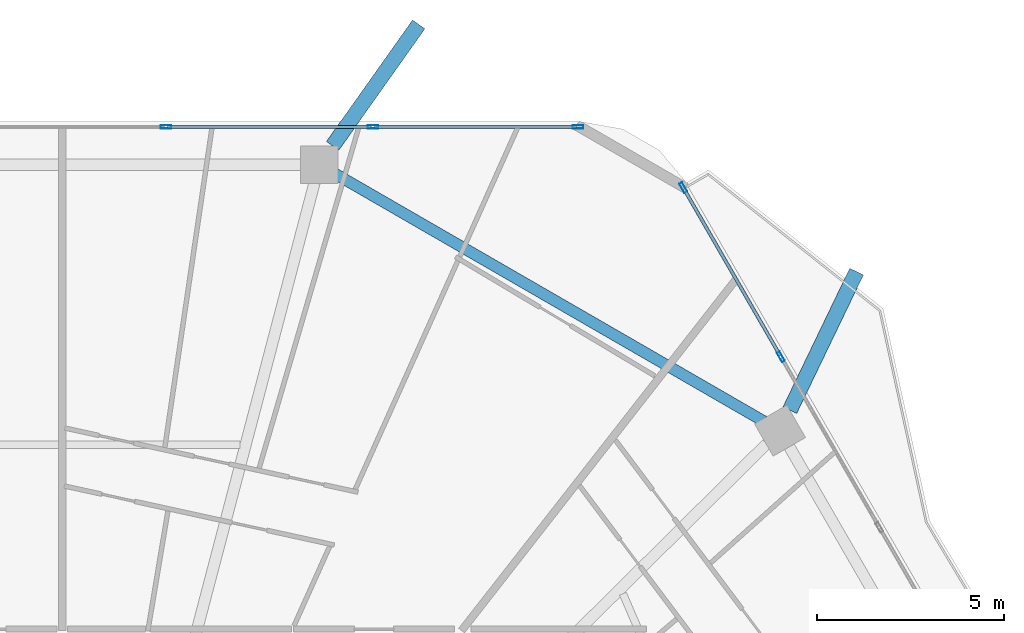
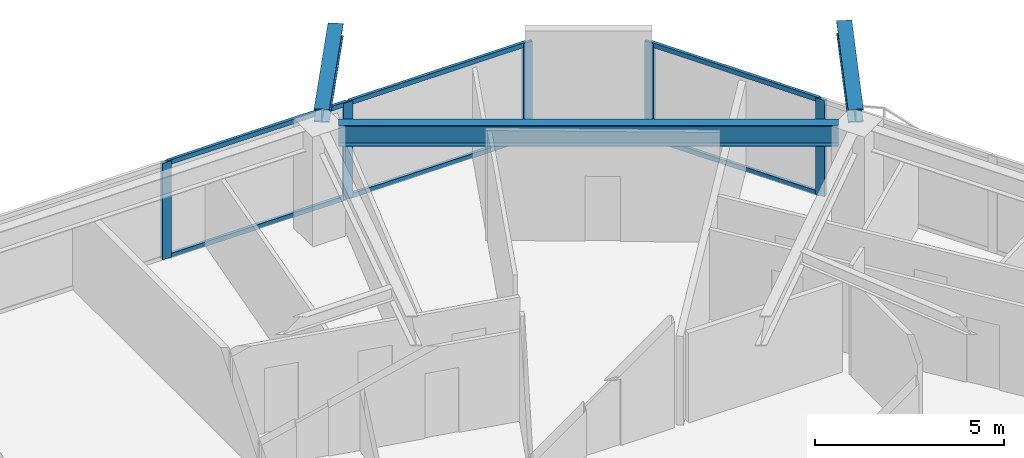
# One storey, part 16 of 26: 11 members, 3 beams, 2 elements without a shape of their own.
"""IFC4 building model written with IfcOpenShell, lengths in metres."""

from ifc_helpers import new_model, si_unit, direction, frame, origin, origin_2d, place, context, subcontext, project, spatial, hollow_rectangle, i_section, extrude, material, material_profile, profile_set, type_object, element, aggregate, save


model = new_model("IFC4")

# Units and contexts
model_context = context("Model", 3, precision=1e-05, world=origin(), true_north=direction((0.0, 1.0)))
body_context = subcontext(model_context, "Body", "Model", "MODEL_VIEW")
ifc_project = project(units=[si_unit("LENGTHUNIT", "METRE"), si_unit("AREAUNIT", "SQUARE_METRE"), si_unit("VOLUMEUNIT", "CUBIC_METRE"), si_unit("PLANEANGLEUNIT", "RADIAN"), si_unit("MASSUNIT", "GRAM", prefix="KILO")], contexts=[model_context])

# Site, building, storey
site_placement = place(None, origin())
site = spatial("IfcSite", under=ifc_project, at=site_placement, CompositionType="ELEMENT")
building_placement = place(site_placement, origin())
building = spatial("IfcBuilding", under=site, at=building_placement, Name="Zuhravey Tower", CompositionType="ELEMENT")
storey_placement = place(building_placement, frame((0.0, 0.0, 158.0)))
storey = spatial("IfcBuildingStorey", under=building, at=storey_placement, Name="L39", CompositionType="ELEMENT", Elevation=158.0)

# Curtain wall, members
ifc_material_1 = material(Name="Thermally broken anodised aluminium", Category="aluminium")
curtain_wall_type = type_object("IfcCurtainWallType", Name="Zone 1-2 Residential Curtain Wall CW3", PredefinedType="NOTDEFINED", material=ifc_material_1)
curtain_wall_1_placement = place(storey_placement, origin())
curtain_wall_1 = element("IfcCurtainWall", 1, at=curtain_wall_1_placement, inside=storey, type_object=curtain_wall_type, Name="L39 CW3 CW-L39-F2-1", PredefinedType="NOTDEFINED")
ifc_material_2 = material(Name="Anodised aluminium", Category="aluminium")
ifc_material_profile_1 = material_profile(ifc_material_2, hollow_rectangle(XDim=0.090087890625, YDim=0.284912109375, WallThickness=0.0048828125, at=origin_2d()), Name="ALU-RHS-90x285x5")
ifc_profile_set_1 = profile_set([ifc_material_profile_1], Name="Anodised aluminium")
member_type_1 = type_object("IfcMemberType", Name="Curtain-Wall Mullion 90x180", PredefinedType="MULLION", material=ifc_profile_set_1)
member_1_placement = place(storey_placement, frame((38.772216796875, 59.18310546875, 0.0), z_axis=(0.0, 0.0, 1.0), x_axis=(0.0, 1.0, 0.0)))
member_1 = element("IfcMember", 2, at=member_1_placement, type_object=member_type_1, Name="CW3 mullion 4", PredefinedType="MULLION", context=body_context, shape_type="SweptSolid", body=[
    extrude(hollow_rectangle(XDim=0.090087890625, YDim=0.284912109375, WallThickness=0.0048828125, at=origin_2d()), origin(), (0.0, 0.0, 1.0), 3.1220703125),
])
member_2_placement = place(storey_placement, frame((44.316650390625, 59.18310546875, 0.0), z_axis=(0.0, 0.0, 1.0), x_axis=(0.0, 1.0, 0.0)))
member_2 = element("IfcMember", 3, at=member_2_placement, type_object=member_type_1, Name="CW3 mullion 5", PredefinedType="MULLION", context=body_context, shape_type="SweptSolid", body=[
    extrude(hollow_rectangle(XDim=0.090087890625, YDim=0.284912109375, WallThickness=0.0048828125, at=origin_2d()), origin(), (0.0, 0.0, 1.0), 3.1220703125),
])
member_3_placement = place(storey_placement, frame((49.816162109375, 59.18310546875, 0.0), z_axis=(0.0, 0.0, 1.0), x_axis=(0.0, 1.0, 0.0)))
member_3 = element("IfcMember", 4, at=member_3_placement, type_object=member_type_1, Name="CW3 mullion 6", PredefinedType="MULLION", context=body_context, shape_type="SweptSolid", body=[
    extrude(hollow_rectangle(XDim=0.090087890625, YDim=0.284912109375, WallThickness=0.0048828125, at=origin_2d()), origin(), (0.0, 0.0, 1.0), 3.1220703125),
])

curtain_wall_2_placement = place(storey_placement, origin())
curtain_wall_2 = element("IfcCurtainWall", 5, at=curtain_wall_2_placement, inside=storey, type_object=curtain_wall_type, Name="L39 CW3 CW-L39-F1-1", PredefinedType="NOTDEFINED")
member_4_placement = place(storey_placement, frame((52.63330078125, 57.556640625, 0.0), z_axis=(0.0, 0.0, 1.0), x_axis=(0.866024705312, 0.500001209789, 0.0)))
member_4 = element("IfcMember", 6, at=member_4_placement, type_object=member_type_1, Name="CW3 mullion 1", PredefinedType="MULLION", context=body_context, shape_type="SweptSolid", body=[
    extrude(hollow_rectangle(XDim=0.090087890625, YDim=0.284912109375, WallThickness=0.0048828125, at=origin_2d()), origin(), (0.0, 0.0, 1.0), 3.1220703125),
])
member_5_placement = place(storey_placement, frame((55.2490234375, 53.026123046875, 0.0), z_axis=(0.0, 0.0, 1.0), x_axis=(0.866024705312, 0.500001209789, 0.0)))
member_5 = element("IfcMember", 7, at=member_5_placement, type_object=member_type_1, Name="CW3 mullion 2", PredefinedType="MULLION", context=body_context, shape_type="SweptSolid", body=[
    extrude(hollow_rectangle(XDim=0.090087890625, YDim=0.284912109375, WallThickness=0.0048828125, at=origin_2d()), origin(), (0.0, 0.0, 1.0), 3.1220703125),
])

# Member
ifc_material_profile_2 = material_profile(ifc_material_2, hollow_rectangle(XDim=0.090087890625, YDim=0.14990234375, WallThickness=0.0048828125, at=origin_2d()), Name="ALU-RHS-90x150x5")
ifc_profile_set_2 = profile_set([ifc_material_profile_2], Name="Anodised aluminium")
member_type_2 = type_object("IfcMemberType", Name="Curtain-Wall Transom 90x150", PredefinedType="USERDEFINED", material=ifc_profile_set_2)
member_6_placement = place(storey_placement, frame((38.817138671875, 59.18310546875, 0.044921875), z_axis=(1.0, 0.0, 0.0), x_axis=(0.0, 1.0, 0.0)))
member_6 = element("IfcMember", 8, at=member_6_placement, type_object=member_type_2, Name="CW3 transom 4.1", ObjectType="TRANSOM", PredefinedType="USERDEFINED", context=body_context, shape_type="SweptSolid", body=[
    extrude(hollow_rectangle(XDim=0.090087890625, YDim=0.14990234375, WallThickness=0.0048828125, at=origin_2d()), origin(), (0.0, 0.0, 1.0), 5.45458984375),
])

member_7_placement = place(storey_placement, frame((38.817138671875, 59.18310546875, 3.076904296875), z_axis=(1.0, 0.0, 0.0), x_axis=(0.0, 1.0, 0.0)))
member_7 = element("IfcMember", 9, at=member_7_placement, type_object=member_type_2, Name="CW3 transom 4.2", ObjectType="TRANSOM", PredefinedType="USERDEFINED", context=body_context, shape_type="SweptSolid", body=[
    extrude(hollow_rectangle(XDim=0.090087890625, YDim=0.14990234375, WallThickness=0.0048828125, at=origin_2d()), origin(), (0.0, 0.0, 1.0), 5.45458984375),
])

member_8_placement = place(storey_placement, frame((44.361572265625, 59.18310546875, 0.044921875), z_axis=(1.0, 0.0, 0.0), x_axis=(0.0, 1.0, 0.0)))
member_8 = element("IfcMember", 10, at=member_8_placement, type_object=member_type_2, Name="CW3 transom 5.1", ObjectType="TRANSOM", PredefinedType="USERDEFINED", context=body_context, shape_type="SweptSolid", body=[
    extrude(hollow_rectangle(XDim=0.090087890625, YDim=0.14990234375, WallThickness=0.0048828125, at=origin_2d()), origin(), (0.0, 0.0, 1.0), 5.409423828125),
])

member_9_placement = place(storey_placement, frame((44.361572265625, 59.18310546875, 3.076904296875), z_axis=(1.0, 0.0, 0.0), x_axis=(0.0, 1.0, 0.0)))
member_9 = element("IfcMember", 11, at=member_9_placement, type_object=member_type_2, Name="CW3 transom 5.2", ObjectType="TRANSOM", PredefinedType="USERDEFINED", context=body_context, shape_type="SweptSolid", body=[
    extrude(hollow_rectangle(XDim=0.090087890625, YDim=0.14990234375, WallThickness=0.0048828125, at=origin_2d()), origin(), (0.0, 0.0, 1.0), 5.409423828125),
])

aggregate(curtain_wall_1, [member_1, member_2, member_3, member_6, member_7, member_8, member_9])

member_10_placement = place(storey_placement, frame((52.65576171875, 57.517578125, 0.044921875), z_axis=(0.499974563852, -0.866040088853, 0.0), x_axis=(0.866040088853, 0.499974563852, 0.0)))
member_10 = element("IfcMember", 12, at=member_10_placement, type_object=member_type_2, Name="CW3 transom 1.1", ObjectType="TRANSOM", PredefinedType="USERDEFINED", context=body_context, shape_type="SweptSolid", body=[
    extrude(hollow_rectangle(XDim=0.090087890625, YDim=0.14990234375, WallThickness=0.0048828125, at=origin_2d()), origin(), (0.0, 0.0, 1.0), 5.141357421875),
])

member_11_placement = place(storey_placement, frame((52.65576171875, 57.517578125, 3.076904296875), z_axis=(0.499974563852, -0.866040088853, 0.0), x_axis=(0.866040088853, 0.499974563852, 0.0)))
member_11 = element("IfcMember", 13, at=member_11_placement, type_object=member_type_2, Name="CW3 transom 1.2", ObjectType="TRANSOM", PredefinedType="USERDEFINED", context=body_context, shape_type="SweptSolid", body=[
    extrude(hollow_rectangle(XDim=0.090087890625, YDim=0.14990234375, WallThickness=0.0048828125, at=origin_2d()), origin(), (0.0, 0.0, 1.0), 5.141357421875),
])

aggregate(curtain_wall_2, [member_4, member_5, member_10, member_11])

# Beams
ifc_material_3 = material(Name="Steel SM460", Category="steel")
ifc_material_profile_3 = material_profile(ifc_material_3, i_section(OverallWidth=0.406982421875, OverallDepth=0.427978515625, WebThickness=0.02001953125, FlangeThickness=0.034912109375, at=origin_2d()), Name="H-428x407x20x35")
ifc_profile_set_3 = profile_set([ifc_material_profile_3], Name="Steel SM460")
beam_type_1 = type_object("IfcBeamType", Name="Exoskeleton Node Tie Beam H428x407", PredefinedType="BEAM", material=ifc_profile_set_3)
beam_1_placement = place(storey_placement, frame((55.48974609375, 51.595458984375, 3.3359375), z_axis=(0.433844122923, 0.900987944983, 0.0), x_axis=(-0.900987944983, 0.433844122923, 0.0)))
element("IfcBeam", 14, at=beam_1_placement, inside=storey, type_object=beam_type_1, Name="L39 Exoskeleton Node Tie NT1-02", PredefinedType="BEAM", context=body_context, shape_type="SweptSolid", body=[
    extrude(i_section(OverallWidth=0.406982421875, OverallDepth=0.427978515625, WebThickness=0.02001953125, FlangeThickness=0.034912109375, at=origin_2d()), origin(), (0.0, 0.0, 1.0), 4.120361328125),
])
beam_2_placement = place(storey_placement, frame((43.23876953125, 58.67626953125, 3.3359375), z_axis=(0.578392499994, 0.815758613777, 0.0), x_axis=(-0.815758613777, 0.578392499994, 0.0)))
element("IfcBeam", 15, at=beam_2_placement, inside=storey, type_object=beam_type_1, Name="L39 Exoskeleton Node Tie NT1-03", PredefinedType="BEAM", context=body_context, shape_type="SweptSolid", body=[
    extrude(i_section(OverallWidth=0.406982421875, OverallDepth=0.427978515625, WebThickness=0.02001953125, FlangeThickness=0.034912109375, at=origin_2d()), origin(), (0.0, 0.0, 1.0), 3.98974609375),
])
ifc_material_4 = material(Name="Steel SM355", Category="steel")
ifc_material_profile_4 = material_profile(ifc_material_4, i_section(OverallWidth=0.300048828125, OverallDepth=0.679931640625, WebThickness=0.012939453125, FlangeThickness=0.02197265625, at=origin_2d()), Name="H-680x300x13x22")
ifc_profile_set_4 = profile_set([ifc_material_profile_4], Name="Steel SM355")
beam_type_2 = type_object("IfcBeamType", Name="Perimeter Ring Beam H680x300", PredefinedType="BEAM", material=ifc_profile_set_4)
beam_3_placement = place(storey_placement, frame((54.789794921875, 51.298095703125, 3.2099609375), z_axis=(-0.866022923061, 0.500004296715, 0.0), x_axis=(-0.500004296715, -0.866022923061, 0.0)))
element("IfcBeam", 16, at=beam_3_placement, inside=storey, type_object=beam_type_2, Name="L39 PB2 BM-L39-PB-02", PredefinedType="BEAM", context=body_context, shape_type="SweptSolid", body=[
    extrude(i_section(OverallWidth=0.300048828125, OverallDepth=0.679931640625, WebThickness=0.012939453125, FlangeThickness=0.02197265625, at=origin_2d()), origin(), (0.0, 0.0, 1.0), 13.2470703125),
])

save(model, "model.ifc")
